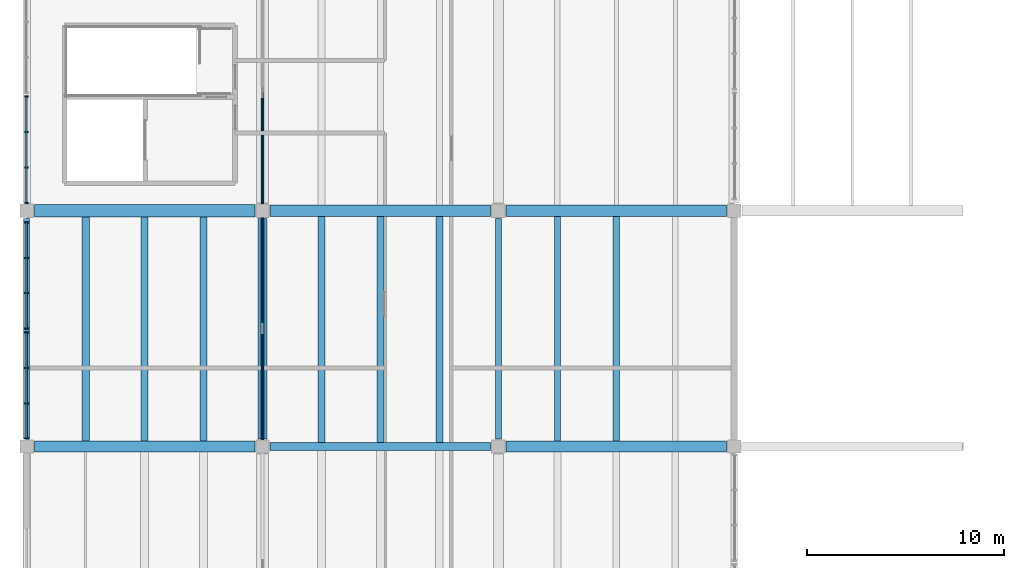
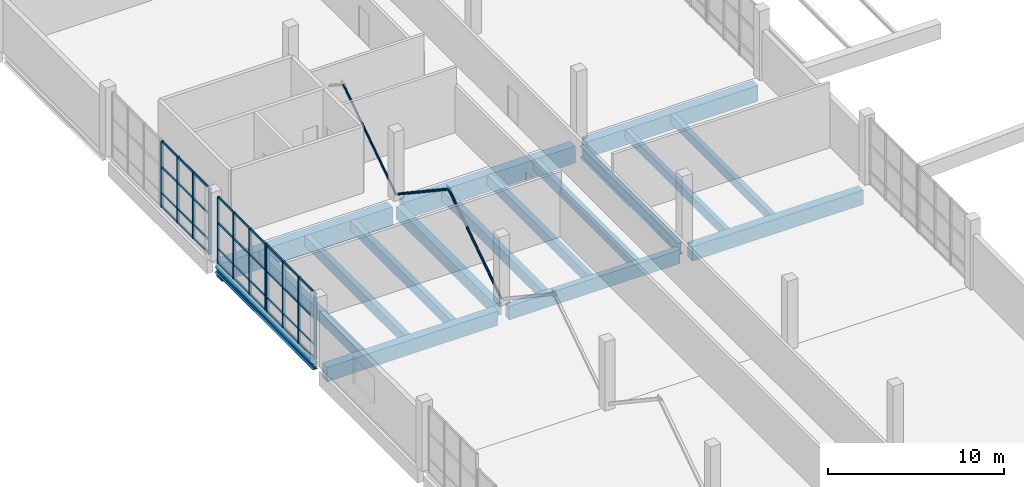
# One storey, part 13 of 49: 27 members, 17 beams, 3 elements without a shape of their own.
"""IFC4 building model written with IfcOpenShell, lengths in metres."""

from ifc_helpers import new_model, si_unit, direction, frame, origin, origin_2d, place, context, subcontext, project, spatial, rectangle, hollow_circle, i_section, extrude, material, material_profile, profile_set, type_object, element, aggregate, save


model = new_model("IFC4")

# Units and contexts
model_context = context("Model", 3, precision=1e-05, world=origin(), true_north=direction((0.0, 1.0)))
body_context = subcontext(model_context, "Body", "Model", "MODEL_VIEW")
ifc_project = project(units=[si_unit("LENGTHUNIT", "METRE"), si_unit("AREAUNIT", "SQUARE_METRE"), si_unit("VOLUMEUNIT", "CUBIC_METRE"), si_unit("PLANEANGLEUNIT", "RADIAN"), si_unit("MASSUNIT", "GRAM", prefix="KILO")], contexts=[model_context])

# Site, building, storey
site_placement = place(None, origin())
site = spatial("IfcSite", under=ifc_project, at=site_placement, CompositionType="ELEMENT")
building_placement = place(site_placement, origin())
building = spatial("IfcBuilding", under=site, at=building_placement, Name="Kamomehara Wholesale Market", CompositionType="ELEMENT")
storey_placement = place(building_placement, frame((0.0, 0.0, 11.39990234375)))
storey = spatial("IfcBuildingStorey", under=building, at=storey_placement, Name="L02", CompositionType="ELEMENT", Elevation=11.39990234375)

# Beams
ifc_material_1 = material(Name="Precast concrete Fc45 (C40/50)", Category="concrete")
ifc_material_profile_1 = material_profile(ifc_material_1, rectangle(XDim=0.60009765625, YDim=1.10009765625, at=origin_2d()), Name="PC-GRD-600x1100")
ifc_profile_set_1 = profile_set([ifc_material_profile_1], Name="Precast concrete Fc45 (C40/50)")
beam_type_1 = type_object("IfcBeamType", Name="BM-PG1100", PredefinedType="T_BEAM", material=ifc_profile_set_1)
beam_1_placement = place(storey_placement, frame((24.389892578125, 120.0, -0.891845703125), z_axis=(1.0, 0.0, 0.0), x_axis=(0.0, 1.0, 0.0)))
element("IfcBeam", 1, at=beam_1_placement, inside=storey, type_object=beam_type_1, Name="Beam PG-07 L02", PredefinedType="T_BEAM", context=body_context, shape_type="SweptSolid", body=[
    extrude(rectangle(XDim=0.60009765625, YDim=1.10009765625, at=origin_2d()), origin(), (0.0, 0.0, 1.0), 11.22021484375),
])
ifc_material_2 = material(Name="Precast concrete Fc45 (C40/50)", Category="concrete")
ifc_material_profile_2 = material_profile(ifc_material_2, rectangle(XDim=0.580078125, YDim=1.179931640625, at=origin_2d()), Name="PC-GRD-580x1180")
ifc_profile_set_2 = profile_set([ifc_material_profile_2], Name="Precast concrete Fc45 (C40/50)")
beam_type_2 = type_object("IfcBeamType", Name="BM-PG1180", PredefinedType="T_BEAM", material=ifc_profile_set_2)
beam_2_placement = place(storey_placement, frame((12.389892578125, 120.0, -0.94189453125), z_axis=(1.0, 0.0, 0.0), x_axis=(0.0, 1.0, 0.0)))
element("IfcBeam", 2, at=beam_2_placement, inside=storey, type_object=beam_type_2, Name="Beam PG-14 L02", PredefinedType="T_BEAM", context=body_context, shape_type="SweptSolid", body=[
    extrude(rectangle(XDim=0.580078125, YDim=1.179931640625, at=origin_2d()), origin(), (0.0, 0.0, 1.0), 11.22021484375),
])
ifc_material_3 = material(Name="Precast concrete Fc45 (C40/50)", Category="concrete")
ifc_material_profile_3 = material_profile(ifc_material_3, rectangle(XDim=0.6201171875, YDim=1.280029296875, at=origin_2d()), Name="PC-GRD-620x1280")
ifc_profile_set_3 = profile_set([ifc_material_profile_3], Name="Precast concrete Fc45 (C40/50)")
beam_type_3 = type_object("IfcBeamType", Name="BM-PG1280", PredefinedType="T_BEAM", material=ifc_profile_set_3)
beam_3_placement = place(storey_placement, frame((0.389892578125, 120.0, -0.991943359375), z_axis=(1.0, 0.0, 0.0), x_axis=(0.0, 1.0, 0.0)))
element("IfcBeam", 3, at=beam_3_placement, inside=storey, type_object=beam_type_3, Name="Beam PG-13 L02", PredefinedType="T_BEAM", context=body_context, shape_type="SweptSolid", body=[
    extrude(rectangle(XDim=0.6201171875, YDim=1.280029296875, at=origin_2d()), origin(), (0.0, 0.0, 1.0), 11.22021484375),
])
ifc_material_4 = material(Name="Precast concrete Fc45 (C40/50)", Category="concrete")
ifc_material_profile_4 = material_profile(ifc_material_4, rectangle(XDim=0.449951171875, YDim=0.85009765625, at=origin_2d()), Name="PC-GRD-450x850")
ifc_profile_set_4 = profile_set([ifc_material_profile_4], Name="Precast concrete Fc45 (C40/50)")
beam_type_4 = type_object("IfcBeamType", Name="BM-PG850", PredefinedType="T_BEAM", material=ifc_profile_set_4)
beam_4_placement = place(storey_placement, frame((12.0, 108.389892578125, -0.7568359375), z_axis=(0.0, 1.0, 0.0), x_axis=(-1.0, 0.0, 0.0)))
element("IfcBeam", 4, at=beam_4_placement, inside=storey, type_object=beam_type_4, Name="Beam PG-11 L02", PredefinedType="T_BEAM", context=body_context, shape_type="SweptSolid", body=[
    extrude(rectangle(XDim=0.449951171875, YDim=0.85009765625, at=origin_2d()), origin(), (0.0, 0.0, 1.0), 11.22021484375),
])
ifc_material_5 = material(Name="Precast concrete Fc45 (C40/50)", Category="concrete")
ifc_material_profile_5 = material_profile(ifc_material_5, rectangle(XDim=0.320068359375, YDim=0.60009765625, at=origin_2d()), Name="PC-JST-320x600")
ifc_profile_set_5 = profile_set([ifc_material_profile_5], Name="Precast concrete Fc45 (C40/50)")
beam_type_5 = type_object("IfcBeamType", Name="BM-PJ600", PredefinedType="JOIST", material=ifc_profile_set_5)
beam_5_placement = place(storey_placement, frame((30.0, 108.27490234375, -0.641845703125), z_axis=(0.0, 1.0, 0.0), x_axis=(-1.0, 0.0, 0.0)))
element("IfcBeam", 5, at=beam_5_placement, inside=storey, type_object=beam_type_5, Name="Beam PJ-05 L02", PredefinedType="JOIST", context=body_context, shape_type="SweptSolid", body=[
    extrude(rectangle(XDim=0.320068359375, YDim=0.60009765625, at=origin_2d()), origin(), (0.0, 0.0, 1.0), 11.425048828125),
])
ifc_material_6 = material(Name="Precast concrete Fc45 (C40/50)", Category="concrete")
ifc_material_profile_6 = material_profile(ifc_material_6, rectangle(XDim=0.300048828125, YDim=0.60009765625, at=origin_2d()), Name="PC-JST-300x600")
ifc_profile_set_6 = profile_set([ifc_material_profile_6], Name="Precast concrete Fc45 (C40/50)")
beam_type_6 = type_object("IfcBeamType", Name="BM-PJ600B", PredefinedType="JOIST", material=ifc_profile_set_6)
beam_6_placement = place(storey_placement, frame((27.0, 108.27490234375, -0.641845703125), z_axis=(0.0, 1.0, 0.0), x_axis=(-1.0, 0.0, 0.0)))
element("IfcBeam", 6, at=beam_6_placement, inside=storey, type_object=beam_type_6, Name="Beam PJ-10 L02", PredefinedType="JOIST", context=body_context, shape_type="SweptSolid", body=[
    extrude(rectangle(XDim=0.300048828125, YDim=0.60009765625, at=origin_2d()), origin(), (0.0, 0.0, 1.0), 11.425048828125),
])
ifc_material_7 = material(Name="Precast concrete Fc45 (C40/50)", Category="concrete")
ifc_material_profile_7 = material_profile(ifc_material_7, rectangle(XDim=0.340087890625, YDim=0.679931640625, at=origin_2d()), Name="PC-JST-340x680")
ifc_profile_set_7 = profile_set([ifc_material_profile_7], Name="Precast concrete Fc45 (C40/50)")
beam_type_7 = type_object("IfcBeamType", Name="BM-PJ680", PredefinedType="JOIST", material=ifc_profile_set_7)
beam_7_placement = place(storey_placement, frame((21.0, 108.199951171875, -0.671875), z_axis=(0.0, 1.0, 0.0), x_axis=(-1.0, 0.0, 0.0)))
element("IfcBeam", 7, at=beam_7_placement, inside=storey, type_object=beam_type_7, Name="Beam PJ-09 L02", PredefinedType="JOIST", context=body_context, shape_type="SweptSolid", body=[
    extrude(rectangle(XDim=0.340087890625, YDim=0.679931640625, at=origin_2d()), origin(), (0.0, 0.0, 1.0), 11.510009765625),
])
ifc_material_8 = material(Name="Precast concrete Fc45 (C40/50)", Category="concrete")
ifc_material_profile_8 = material_profile(ifc_material_8, rectangle(XDim=0.35009765625, YDim=0.699951171875, at=origin_2d()), Name="PC-JST-350x700")
ifc_profile_set_8 = profile_set([ifc_material_profile_8], Name="Precast concrete Fc45 (C40/50)")
beam_type_8 = type_object("IfcBeamType", Name="BM-PJ700", PredefinedType="JOIST", material=ifc_profile_set_8)
beam_8_placement = place(storey_placement, frame((9.0, 108.27490234375, -0.681884765625), z_axis=(0.0, 1.0, 0.0), x_axis=(-1.0, 0.0, 0.0)))
element("IfcBeam", 8, at=beam_8_placement, inside=storey, type_object=beam_type_8, Name="Beam PJ-03 L02", PredefinedType="JOIST", context=body_context, shape_type="SweptSolid", body=[
    extrude(rectangle(XDim=0.35009765625, YDim=0.699951171875, at=origin_2d()), origin(), (0.0, 0.0, 1.0), 11.4150390625),
])
beam_9_placement = place(storey_placement, frame((18.0, 108.199951171875, -0.681884765625), z_axis=(0.0, 1.0, 0.0), x_axis=(-1.0, 0.0, 0.0)))
element("IfcBeam", 9, at=beam_9_placement, inside=storey, type_object=beam_type_8, Name="Beam PJ-03 L02", PredefinedType="JOIST", context=body_context, shape_type="SweptSolid", body=[
    extrude(rectangle(XDim=0.35009765625, YDim=0.699951171875, at=origin_2d()), origin(), (0.0, 0.0, 1.0), 11.510009765625),
])
ifc_material_9 = material(Name="Precast concrete Fc45 (C40/50)", Category="concrete")
ifc_material_profile_9 = material_profile(ifc_material_9, rectangle(XDim=0.360107421875, YDim=0.719970703125, at=origin_2d()), Name="PC-JST-360x720")
ifc_profile_set_9 = profile_set([ifc_material_profile_9], Name="Precast concrete Fc45 (C40/50)")
beam_type_9 = type_object("IfcBeamType", Name="BM-PJ720", PredefinedType="JOIST", material=ifc_profile_set_9)
beam_10_placement = place(storey_placement, frame((6.0, 108.27490234375, -0.69189453125), z_axis=(0.0, 1.0, 0.0), x_axis=(-1.0, 0.0, 0.0)))
element("IfcBeam", 10, at=beam_10_placement, inside=storey, type_object=beam_type_9, Name="Beam PJ-08 L02", PredefinedType="JOIST", context=body_context, shape_type="SweptSolid", body=[
    extrude(rectangle(XDim=0.360107421875, YDim=0.719970703125, at=origin_2d()), origin(), (0.0, 0.0, 1.0), 11.4150390625),
])
beam_11_placement = place(storey_placement, frame((15.0, 108.199951171875, -0.69189453125), z_axis=(0.0, 1.0, 0.0), x_axis=(-1.0, 0.0, 0.0)))
element("IfcBeam", 11, at=beam_11_placement, inside=storey, type_object=beam_type_9, Name="Beam PJ-08 L02", PredefinedType="JOIST", context=body_context, shape_type="SweptSolid", body=[
    extrude(rectangle(XDim=0.360107421875, YDim=0.719970703125, at=origin_2d()), origin(), (0.0, 0.0, 1.0), 11.510009765625),
])
ifc_material_10 = material(Name="Precast concrete Fc45 (C40/50)", Category="concrete")
ifc_material_profile_10 = material_profile(ifc_material_10, rectangle(XDim=0.3798828125, YDim=0.75, at=origin_2d()), Name="PC-JST-380x750")
ifc_profile_set_10 = profile_set([ifc_material_profile_10], Name="Precast concrete Fc45 (C40/50)")
beam_type_10 = type_object("IfcBeamType", Name="BM-PJ750", PredefinedType="JOIST", material=ifc_profile_set_10)
beam_12_placement = place(storey_placement, frame((3.0, 108.27490234375, -0.706787109375), z_axis=(0.0, 1.0, 0.0), x_axis=(-1.0, 0.0, 0.0)))
element("IfcBeam", 12, at=beam_12_placement, inside=storey, type_object=beam_type_10, Name="Beam PJ-02 L02", PredefinedType="JOIST", context=body_context, shape_type="SweptSolid", body=[
    extrude(rectangle(XDim=0.3798828125, YDim=0.75, at=origin_2d()), origin(), (0.0, 0.0, 1.0), 11.4150390625),
])
ifc_material_11 = material(Name="Concrete Fc36 (C35/45)", Category="concrete")
ifc_material_profile_11 = material_profile(ifc_material_11, rectangle(XDim=0.550048828125, YDim=1.0, at=origin_2d()), Name="RC-SEB-550x1000")
ifc_profile_set_11 = profile_set([ifc_material_profile_11], Name="Concrete Fc36 (C35/45)")
beam_type_11 = type_object("IfcBeamType", Name="BM-SEB1000-EXT", PredefinedType="SPANDREL", material=ifc_profile_set_11)
for number, where, z_axis, x_axis, name in (
    (13, (0.389892578125, 108.0, -0.831787109375), (1.0, 0.0, 0.0), (0.0, 1.0, 0.0), "Beam SEB-03E L02"),
    (14, (24.389892578125, 108.0, -0.841796875), (1.0, 0.0, 0.0), (0.0, 1.0, 0.0), "Beam SEB-03E L02"),
):
    element("IfcBeam", number, at=place(storey_placement, frame(where, z_axis=z_axis, x_axis=x_axis)), inside=storey, type_object=beam_type_11, Name=name, PredefinedType="SPANDREL", context=body_context, shape_type="SweptSolid", body=[
        extrude(rectangle(XDim=0.550048828125, YDim=1.0, at=origin_2d()), origin(), (0.0, 0.0, 1.0), 11.22021484375),
    ])
ifc_material_12 = material(Name="Precast concrete Fc45 (C40/50)", Category="concrete")
ifc_material_profile_12 = material_profile(ifc_material_12, rectangle(XDim=0.39990234375, YDim=0.949951171875, at=origin_2d()), Name="PC-SPN-400x950")
ifc_profile_set_12 = profile_set([ifc_material_profile_12], Name="Precast concrete Fc45 (C40/50)")
beam_type_12 = type_object("IfcBeamType", Name="BM-SPN950-EXT", PredefinedType="SPANDREL", material=ifc_profile_set_12)
beam_13_placement = place(storey_placement, frame((12.389892578125, 108.0, -0.806884765625), z_axis=(1.0, 0.0, 0.0), x_axis=(0.0, 1.0, 0.0)))
element("IfcBeam", 15, at=beam_13_placement, inside=storey, type_object=beam_type_12, Name="Beam SPN-01E L02", PredefinedType="SPANDREL", context=body_context, shape_type="SweptSolid", body=[
    extrude(rectangle(XDim=0.39990234375, YDim=0.949951171875, at=origin_2d()), origin(), (0.0, 0.0, 1.0), 11.22021484375),
])
ifc_material_13 = material(Name="Steel SN490B", Category="steel")
ifc_material_profile_13 = material_profile(ifc_material_13, i_section(OverallWidth=0.300048828125, OverallDepth=0.389892578125, WebThickness=0.010009765625, FlangeThickness=0.01611328125, FilletRadius=0.01806640625, at=origin_2d()), Name="H-390x300x10x16")
ifc_profile_set_13 = profile_set([ifc_material_profile_13], Name="Steel SN490B")
beam_type_13 = type_object("IfcBeamType", Name="BM-ST-H390-EXT", PredefinedType="SPANDREL", material=ifc_profile_set_13)
beam_14_placement = place(storey_placement, frame((0.0, 108.389892578125, -0.52685546875), z_axis=(0.0, 1.0, 0.0), x_axis=(-1.0, 0.0, 0.0)))
element("IfcBeam", 16, at=beam_14_placement, inside=storey, type_object=beam_type_13, Name="Beam SJ-03E L02", PredefinedType="SPANDREL", context=body_context, shape_type="SweptSolid", body=[
    extrude(i_section(OverallWidth=0.300048828125, OverallDepth=0.389892578125, WebThickness=0.010009765625, FlangeThickness=0.01611328125, FilletRadius=0.01806640625, at=origin_2d()), origin(), (0.0, 0.0, 1.0), 11.22021484375),
])
ifc_material_14 = material(Name="Steel SN490B", Category="steel")
ifc_material_profile_14 = material_profile(ifc_material_14, i_section(OverallWidth=0.300048828125, OverallDepth=0.800048828125, WebThickness=0.013916015625, FlangeThickness=0.02587890625, FilletRadius=0.02392578125, at=origin_2d()), Name="H-800x300x14x26")
ifc_profile_set_14 = profile_set([ifc_material_profile_14], Name="Steel SN490B")
beam_type_14 = type_object("IfcBeamType", Name="BM-ST-H800", PredefinedType="BEAM", material=ifc_profile_set_14)
beam_15_placement = place(storey_placement, frame((24.0, 108.389892578125, -0.741943359375), z_axis=(0.0, 1.0, 0.0), x_axis=(-1.0, 0.0, 0.0)))
element("IfcBeam", 17, at=beam_15_placement, inside=storey, type_object=beam_type_14, Name="Beam SG-02 L02", PredefinedType="BEAM", context=body_context, shape_type="SweptSolid", body=[
    extrude(i_section(OverallWidth=0.300048828125, OverallDepth=0.800048828125, WebThickness=0.013916015625, FlangeThickness=0.02587890625, FilletRadius=0.02392578125, at=origin_2d()), origin(), (0.0, 0.0, 1.0), 11.22021484375),
])

# Curtain wall, members
ifc_material_15 = material(Name="Anodised aluminium 6063-T5", Category="aluminium")
curtain_wall_type = type_object("IfcCurtainWallType", Name="CW-UN-10", PredefinedType="NOTDEFINED", material=ifc_material_15)
curtain_wall_1_placement = place(storey_placement, origin())
curtain_wall_1 = element("IfcCurtainWall", 18, at=curtain_wall_1_placement, inside=storey, type_object=curtain_wall_type, Name="Unitised curtain wall CW-005", PredefinedType="NOTDEFINED")
ifc_material_16 = material(Name="Anodised aluminium 6063-T5", Category="aluminium")
ifc_material_profile_15 = material_profile(ifc_material_16, rectangle(XDim=0.074951171875, YDim=0.179931640625, at=origin_2d()), Name="ALU-MUL-75x180")
ifc_profile_set_15 = profile_set([ifc_material_profile_15], Name="Anodised aluminium 6063-T5")
member_type_1 = type_object("IfcMemberType", Name="CW-MUL-180", PredefinedType="MULLION", material=ifc_profile_set_15)
member_1_placement = place(storey_placement, frame((0.0, 108.39990234375, 0.0), z_axis=(0.0, 0.0, 1.0), x_axis=(0.0, 1.0, 0.0)))
member_1 = element("IfcMember", 19, at=member_1_placement, type_object=member_type_1, Name="Mullion CW-005.0", PredefinedType="MULLION", context=body_context, shape_type="SweptSolid", body=[
    extrude(rectangle(XDim=0.074951171875, YDim=0.179931640625, at=origin_2d()), origin(), (0.0, 0.0, 1.0), 4.60009765625),
])
member_2_placement = place(storey_placement, frame((0.0, 110.199951171875, 0.0), z_axis=(0.0, 0.0, 1.0), x_axis=(0.0, 1.0, 0.0)))
member_2 = element("IfcMember", 20, at=member_2_placement, type_object=member_type_1, Name="Mullion CW-005.1", PredefinedType="MULLION", context=body_context, shape_type="SweptSolid", body=[
    extrude(rectangle(XDim=0.074951171875, YDim=0.179931640625, at=origin_2d()), origin(), (0.0, 0.0, 1.0), 4.60009765625),
])
member_3_placement = place(storey_placement, frame((0.0, 112.0, 0.0), z_axis=(0.0, 0.0, 1.0), x_axis=(0.0, 1.0, 0.0)))
member_3 = element("IfcMember", 21, at=member_3_placement, type_object=member_type_1, Name="Mullion CW-005.2", PredefinedType="MULLION", context=body_context, shape_type="SweptSolid", body=[
    extrude(rectangle(XDim=0.074951171875, YDim=0.179931640625, at=origin_2d()), origin(), (0.0, 0.0, 1.0), 4.60009765625),
])
member_4_placement = place(storey_placement, frame((0.0, 113.800048828125, 0.0), z_axis=(0.0, 0.0, 1.0), x_axis=(0.0, 1.0, 0.0)))
member_4 = element("IfcMember", 22, at=member_4_placement, type_object=member_type_1, Name="Mullion CW-005.3", PredefinedType="MULLION", context=body_context, shape_type="SweptSolid", body=[
    extrude(rectangle(XDim=0.074951171875, YDim=0.179931640625, at=origin_2d()), origin(), (0.0, 0.0, 1.0), 4.60009765625),
])

curtain_wall_2_placement = place(storey_placement, origin())
curtain_wall_2 = element("IfcCurtainWall", 23, at=curtain_wall_2_placement, inside=storey, type_object=curtain_wall_type, Name="Unitised curtain wall CW-006", PredefinedType="NOTDEFINED")
member_5_placement = place(storey_placement, frame((0.0, 114.0, 0.0), z_axis=(0.0, 0.0, 1.0), x_axis=(0.0, 1.0, 0.0)))
member_5 = element("IfcMember", 24, at=member_5_placement, type_object=member_type_1, Name="Mullion CW-006.0", PredefinedType="MULLION", context=body_context, shape_type="SweptSolid", body=[
    extrude(rectangle(XDim=0.074951171875, YDim=0.179931640625, at=origin_2d()), origin(), (0.0, 0.0, 1.0), 4.60009765625),
])
member_6_placement = place(storey_placement, frame((0.0, 115.800048828125, 0.0), z_axis=(0.0, 0.0, 1.0), x_axis=(0.0, 1.0, 0.0)))
member_6 = element("IfcMember", 25, at=member_6_placement, type_object=member_type_1, Name="Mullion CW-006.1", PredefinedType="MULLION", context=body_context, shape_type="SweptSolid", body=[
    extrude(rectangle(XDim=0.074951171875, YDim=0.179931640625, at=origin_2d()), origin(), (0.0, 0.0, 1.0), 4.60009765625),
])
member_7_placement = place(storey_placement, frame((0.0, 117.60009765625, 0.0), z_axis=(0.0, 0.0, 1.0), x_axis=(0.0, 1.0, 0.0)))
member_7 = element("IfcMember", 26, at=member_7_placement, type_object=member_type_1, Name="Mullion CW-006.2", PredefinedType="MULLION", context=body_context, shape_type="SweptSolid", body=[
    extrude(rectangle(XDim=0.074951171875, YDim=0.179931640625, at=origin_2d()), origin(), (0.0, 0.0, 1.0), 4.60009765625),
])
member_8_placement = place(storey_placement, frame((0.0, 119.39990234375, 0.0), z_axis=(0.0, 0.0, 1.0), x_axis=(0.0, 1.0, 0.0)))
member_8 = element("IfcMember", 27, at=member_8_placement, type_object=member_type_1, Name="Mullion CW-006.3", PredefinedType="MULLION", context=body_context, shape_type="SweptSolid", body=[
    extrude(rectangle(XDim=0.074951171875, YDim=0.179931640625, at=origin_2d()), origin(), (0.0, 0.0, 1.0), 4.60009765625),
])

curtain_wall_3_placement = place(storey_placement, origin())
curtain_wall_3 = element("IfcCurtainWall", 28, at=curtain_wall_3_placement, inside=storey, type_object=curtain_wall_type, Name="Unitised curtain wall CW-007", PredefinedType="NOTDEFINED")
member_9_placement = place(storey_placement, frame((0.0, 120.39990234375, 0.0), z_axis=(0.0, 0.0, 1.0), x_axis=(0.0, 1.0, 0.0)))
member_9 = element("IfcMember", 29, at=member_9_placement, type_object=member_type_1, Name="Mullion CW-007.0", PredefinedType="MULLION", context=body_context, shape_type="SweptSolid", body=[
    extrude(rectangle(XDim=0.074951171875, YDim=0.179931640625, at=origin_2d()), origin(), (0.0, 0.0, 1.0), 4.60009765625),
])
member_10_placement = place(storey_placement, frame((0.0, 122.199951171875, 0.0), z_axis=(0.0, 0.0, 1.0), x_axis=(0.0, 1.0, 0.0)))
member_10 = element("IfcMember", 30, at=member_10_placement, type_object=member_type_1, Name="Mullion CW-007.1", PredefinedType="MULLION", context=body_context, shape_type="SweptSolid", body=[
    extrude(rectangle(XDim=0.074951171875, YDim=0.179931640625, at=origin_2d()), origin(), (0.0, 0.0, 1.0), 4.60009765625),
])
member_11_placement = place(storey_placement, frame((0.0, 124.0, 0.0), z_axis=(0.0, 0.0, 1.0), x_axis=(0.0, 1.0, 0.0)))
member_11 = element("IfcMember", 31, at=member_11_placement, type_object=member_type_1, Name="Mullion CW-007.2", PredefinedType="MULLION", context=body_context, shape_type="SweptSolid", body=[
    extrude(rectangle(XDim=0.074951171875, YDim=0.179931640625, at=origin_2d()), origin(), (0.0, 0.0, 1.0), 4.60009765625),
])
member_12_placement = place(storey_placement, frame((0.0, 125.800048828125, 0.0), z_axis=(0.0, 0.0, 1.0), x_axis=(0.0, 1.0, 0.0)))
member_12 = element("IfcMember", 32, at=member_12_placement, type_object=member_type_1, Name="Mullion CW-007.3", PredefinedType="MULLION", context=body_context, shape_type="SweptSolid", body=[
    extrude(rectangle(XDim=0.074951171875, YDim=0.179931640625, at=origin_2d()), origin(), (0.0, 0.0, 1.0), 4.60009765625),
])

# Member
ifc_material_17 = material(Name="Anodised aluminium 6063-T5", Category="aluminium")
ifc_material_profile_16 = material_profile(ifc_material_17, rectangle(XDim=0.074951171875, YDim=0.14990234375, at=origin_2d()), Name="ALU-TRN-75x150")
ifc_profile_set_16 = profile_set([ifc_material_profile_16], Name="Anodised aluminium 6063-T5")
member_type_2 = type_object("IfcMemberType", Name="CW-TRN-150", PredefinedType="USERDEFINED", material=ifc_profile_set_16)
member_13_placement = place(storey_placement, frame((0.0, 108.39990234375, 0.0400390625), z_axis=(0.0, 1.0, 0.0), x_axis=(-1.0, 0.0, 0.0)))
member_13 = element("IfcMember", 33, at=member_13_placement, type_object=member_type_2, Name="Transom CW-005.0", ObjectType="TRANSOM", PredefinedType="USERDEFINED", context=body_context, shape_type="SweptSolid", body=[
    extrude(rectangle(XDim=0.074951171875, YDim=0.14990234375, at=origin_2d()), origin(), (0.0, 0.0, 1.0), 5.400146484375),
])

member_14_placement = place(storey_placement, frame((0.0, 108.39990234375, 0.9501953125), z_axis=(0.0, 1.0, 0.0), x_axis=(-1.0, 0.0, 0.0)))
member_14 = element("IfcMember", 34, at=member_14_placement, type_object=member_type_2, Name="Transom CW-005.1", ObjectType="TRANSOM", PredefinedType="USERDEFINED", context=body_context, shape_type="SweptSolid", body=[
    extrude(rectangle(XDim=0.074951171875, YDim=0.14990234375, at=origin_2d()), origin(), (0.0, 0.0, 1.0), 5.400146484375),
])

member_15_placement = place(storey_placement, frame((0.0, 108.39990234375, 2.775146484375), z_axis=(0.0, 1.0, 0.0), x_axis=(-1.0, 0.0, 0.0)))
member_15 = element("IfcMember", 35, at=member_15_placement, type_object=member_type_2, Name="Transom CW-005.2", ObjectType="TRANSOM", PredefinedType="USERDEFINED", context=body_context, shape_type="SweptSolid", body=[
    extrude(rectangle(XDim=0.074951171875, YDim=0.14990234375, at=origin_2d()), origin(), (0.0, 0.0, 1.0), 5.400146484375),
])

member_16_placement = place(storey_placement, frame((0.0, 108.39990234375, 4.56005859375), z_axis=(0.0, 1.0, 0.0), x_axis=(-1.0, 0.0, 0.0)))
member_16 = element("IfcMember", 36, at=member_16_placement, type_object=member_type_2, Name="Transom CW-005.3", ObjectType="TRANSOM", PredefinedType="USERDEFINED", context=body_context, shape_type="SweptSolid", body=[
    extrude(rectangle(XDim=0.074951171875, YDim=0.14990234375, at=origin_2d()), origin(), (0.0, 0.0, 1.0), 5.400146484375),
])

aggregate(curtain_wall_1, [member_1, member_2, member_3, member_4, member_13, member_14, member_15, member_16])

member_17_placement = place(storey_placement, frame((0.0, 114.0, 0.0400390625), z_axis=(0.0, 1.0, 0.0), x_axis=(-1.0, 0.0, 0.0)))
member_17 = element("IfcMember", 37, at=member_17_placement, type_object=member_type_2, Name="Transom CW-006.0", ObjectType="TRANSOM", PredefinedType="USERDEFINED", context=body_context, shape_type="SweptSolid", body=[
    extrude(rectangle(XDim=0.074951171875, YDim=0.14990234375, at=origin_2d()), origin(), (0.0, 0.0, 1.0), 5.39990234375),
])

member_18_placement = place(storey_placement, frame((0.0, 114.0, 0.9501953125), z_axis=(0.0, 1.0, 0.0), x_axis=(-1.0, 0.0, 0.0)))
member_18 = element("IfcMember", 38, at=member_18_placement, type_object=member_type_2, Name="Transom CW-006.1", ObjectType="TRANSOM", PredefinedType="USERDEFINED", context=body_context, shape_type="SweptSolid", body=[
    extrude(rectangle(XDim=0.074951171875, YDim=0.14990234375, at=origin_2d()), origin(), (0.0, 0.0, 1.0), 5.39990234375),
])

member_19_placement = place(storey_placement, frame((0.0, 114.0, 2.775146484375), z_axis=(0.0, 1.0, 0.0), x_axis=(-1.0, 0.0, 0.0)))
member_19 = element("IfcMember", 39, at=member_19_placement, type_object=member_type_2, Name="Transom CW-006.2", ObjectType="TRANSOM", PredefinedType="USERDEFINED", context=body_context, shape_type="SweptSolid", body=[
    extrude(rectangle(XDim=0.074951171875, YDim=0.14990234375, at=origin_2d()), origin(), (0.0, 0.0, 1.0), 5.39990234375),
])

member_20_placement = place(storey_placement, frame((0.0, 114.0, 4.56005859375), z_axis=(0.0, 1.0, 0.0), x_axis=(-1.0, 0.0, 0.0)))
member_20 = element("IfcMember", 40, at=member_20_placement, type_object=member_type_2, Name="Transom CW-006.3", ObjectType="TRANSOM", PredefinedType="USERDEFINED", context=body_context, shape_type="SweptSolid", body=[
    extrude(rectangle(XDim=0.074951171875, YDim=0.14990234375, at=origin_2d()), origin(), (0.0, 0.0, 1.0), 5.39990234375),
])

aggregate(curtain_wall_2, [member_5, member_6, member_7, member_8, member_17, member_18, member_19, member_20])

member_21_placement = place(storey_placement, frame((0.0, 120.39990234375, 0.0400390625), z_axis=(0.0, 1.0, 0.0), x_axis=(-1.0, 0.0, 0.0)))
member_21 = element("IfcMember", 41, at=member_21_placement, type_object=member_type_2, Name="Transom CW-007.0", ObjectType="TRANSOM", PredefinedType="USERDEFINED", context=body_context, shape_type="SweptSolid", body=[
    extrude(rectangle(XDim=0.074951171875, YDim=0.14990234375, at=origin_2d()), origin(), (0.0, 0.0, 1.0), 5.400146484375),
])

member_22_placement = place(storey_placement, frame((0.0, 120.39990234375, 0.9501953125), z_axis=(0.0, 1.0, 0.0), x_axis=(-1.0, 0.0, 0.0)))
member_22 = element("IfcMember", 42, at=member_22_placement, type_object=member_type_2, Name="Transom CW-007.1", ObjectType="TRANSOM", PredefinedType="USERDEFINED", context=body_context, shape_type="SweptSolid", body=[
    extrude(rectangle(XDim=0.074951171875, YDim=0.14990234375, at=origin_2d()), origin(), (0.0, 0.0, 1.0), 5.400146484375),
])

member_23_placement = place(storey_placement, frame((0.0, 120.39990234375, 2.775146484375), z_axis=(0.0, 1.0, 0.0), x_axis=(-1.0, 0.0, 0.0)))
member_23 = element("IfcMember", 43, at=member_23_placement, type_object=member_type_2, Name="Transom CW-007.2", ObjectType="TRANSOM", PredefinedType="USERDEFINED", context=body_context, shape_type="SweptSolid", body=[
    extrude(rectangle(XDim=0.074951171875, YDim=0.14990234375, at=origin_2d()), origin(), (0.0, 0.0, 1.0), 5.400146484375),
])

member_24_placement = place(storey_placement, frame((0.0, 120.39990234375, 4.56005859375), z_axis=(0.0, 1.0, 0.0), x_axis=(-1.0, 0.0, 0.0)))
member_24 = element("IfcMember", 44, at=member_24_placement, type_object=member_type_2, Name="Transom CW-007.3", ObjectType="TRANSOM", PredefinedType="USERDEFINED", context=body_context, shape_type="SweptSolid", body=[
    extrude(rectangle(XDim=0.074951171875, YDim=0.14990234375, at=origin_2d()), origin(), (0.0, 0.0, 1.0), 5.400146484375),
])

aggregate(curtain_wall_3, [member_9, member_10, member_11, member_12, member_21, member_22, member_23, member_24])

# Members
ifc_material_18 = material(Name="Steel SN400B", Category="steel")
ifc_material_profile_17 = material_profile(ifc_material_18, hollow_circle(Radius=0.06982421875, WallThickness=0.006591796875, at=origin_2d()), Name="CHS-139.8x6.6")
ifc_profile_set_17 = profile_set([ifc_material_profile_17], Name="Steel SN400B")
member_type_3 = type_object("IfcMemberType", Name="MEM-BR-CHS139", PredefinedType="BRACE", material=ifc_profile_set_17)
member_25_placement = place(storey_placement, frame((12.0, 120.0, 0.2001953125), z_axis=(0.0, 0.832050294338, 0.554700196225), x_axis=(-1.0, 0.0, 0.0)))
element("IfcMember", 45, at=member_25_placement, inside=storey, type_object=member_type_3, Name="Lateral frame brace V3 120A", PredefinedType="BRACE", context=body_context, shape_type="SweptSolid", body=[
    extrude(hollow_circle(Radius=0.06982421875, WallThickness=0.006591796875, at=origin_2d()), origin(), (0.0, 0.0, 1.0), 7.211181640625),
])
ifc_material_19 = material(Name="Steel SN490B", Category="steel")
ifc_material_profile_18 = material_profile(ifc_material_19, hollow_circle(Radius=0.08251953125, WallThickness=0.007080078125, at=origin_2d()), Name="CHS-165.2x7.1")
ifc_profile_set_18 = profile_set([ifc_material_profile_18], Name="Steel SN490B")
member_type_4 = type_object("IfcMemberType", Name="MEM-BR-CHS165", PredefinedType="BRACE", material=ifc_profile_set_18)
for number, where, z_axis, x_axis, name in (
    (46, (12.0, 108.0, 0.2001953125), (0.0, 0.832050294338, 0.554700196225), (-1.0, 0.0, 0.0), "Lateral frame brace V3 108A"),
    (47, (12.0, 120.0, 0.2001953125), (0.0, -0.832050294338, 0.554700196225), (1.0, 0.0, 0.0), "Lateral frame brace V3 108B"),
):
    element("IfcMember", number, at=place(storey_placement, frame(where, z_axis=z_axis, x_axis=x_axis)), inside=storey, type_object=member_type_4, Name=name, PredefinedType="BRACE", context=body_context, shape_type="SweptSolid", body=[
        extrude(hollow_circle(Radius=0.08251953125, WallThickness=0.007080078125, at=origin_2d()), origin(), (0.0, 0.0, 1.0), 7.211181640625),
    ])

save(model, "model.ifc")
